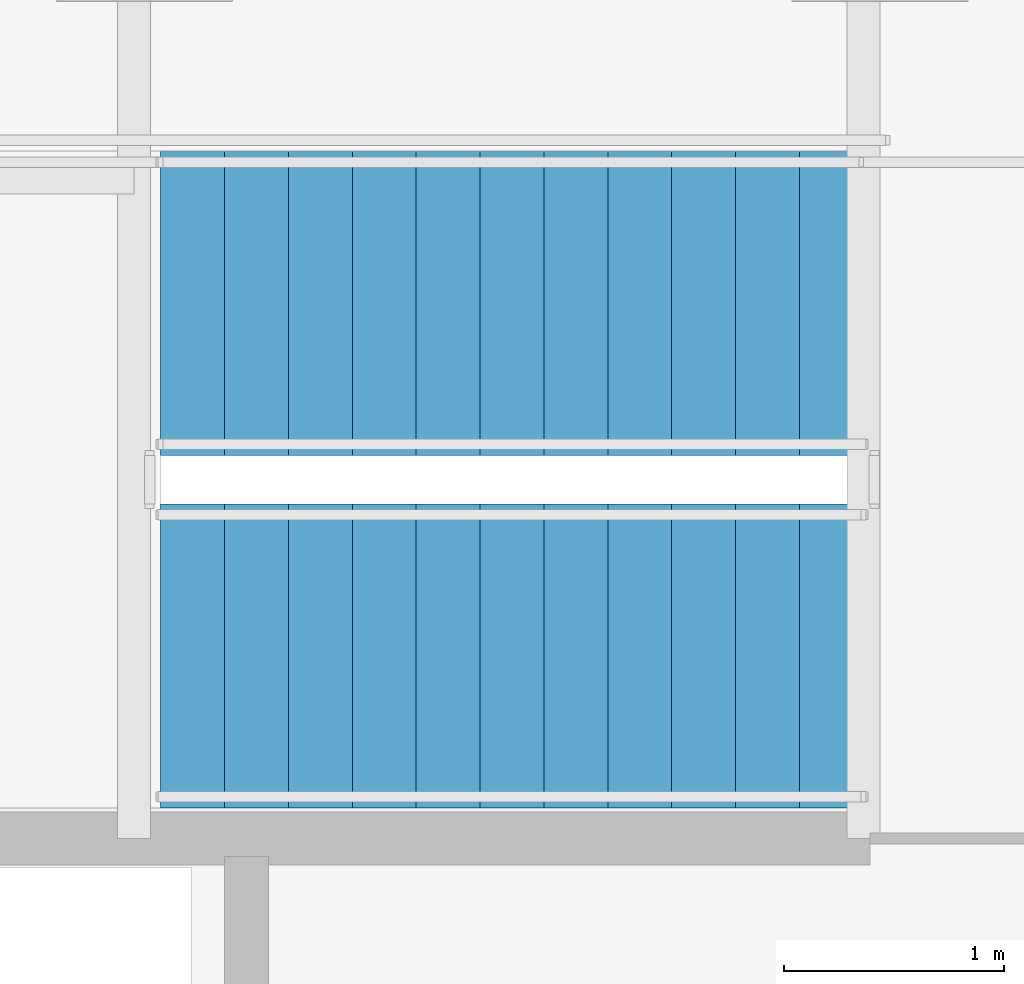
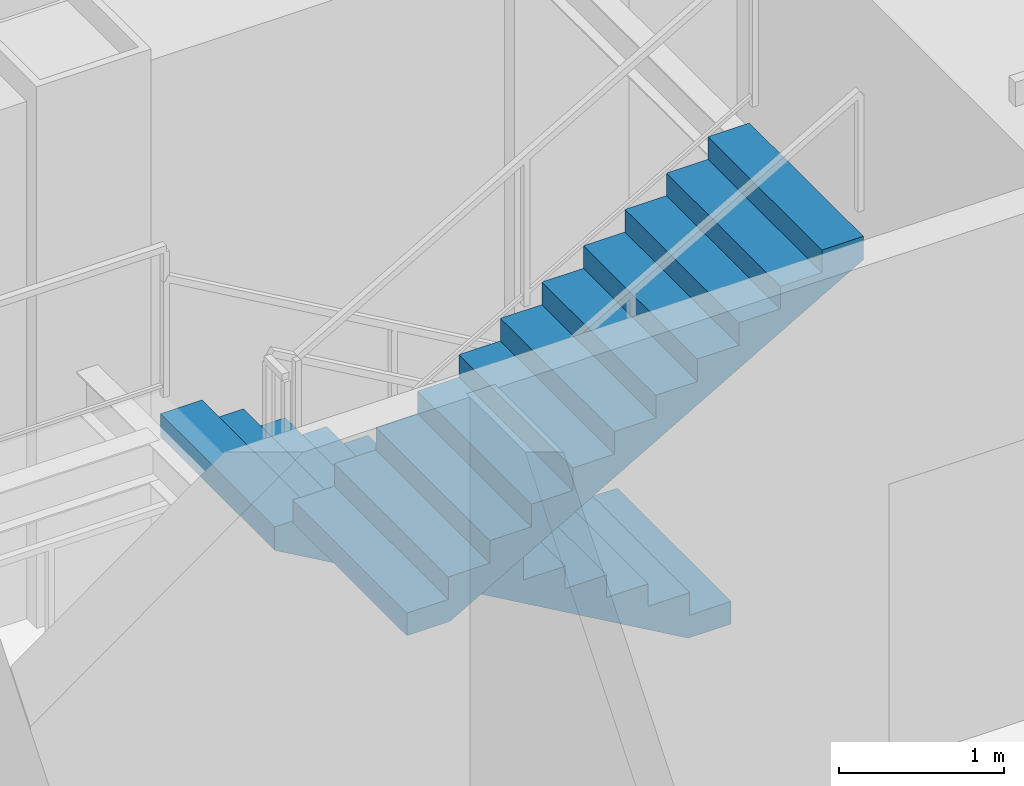
# One storey, part 32 of 35: 2 stair flights, 1 element without a shape of its own.
"""IFC4 building model written with IfcOpenShell, lengths in metres."""

from ifc_helpers import new_model, si_unit, direction, frame, origin, place, context, subcontext, project, spatial, polyline, outline, extrude, material, type_object, element, aggregate, save


model = new_model("IFC4")

# Units and contexts
model_context = context("Model", 3, precision=1e-05, world=origin(), true_north=direction((0.0, 1.0)))
body_context = subcontext(model_context, "Body", "Model", "MODEL_VIEW")
ifc_project = project(units=[si_unit("LENGTHUNIT", "METRE"), si_unit("AREAUNIT", "SQUARE_METRE"), si_unit("VOLUMEUNIT", "CUBIC_METRE"), si_unit("PLANEANGLEUNIT", "RADIAN"), si_unit("MASSUNIT", "GRAM", prefix="KILO")], contexts=[model_context])

# Site, building, storey
site_placement = place(None, origin())
site = spatial("IfcSite", under=ifc_project, at=site_placement, CompositionType="ELEMENT")
building_placement = place(site_placement, origin())
building = spatial("IfcBuilding", under=site, at=building_placement, Name="Khoronbel Lancet Exchange", CompositionType="ELEMENT")
storey_placement = place(building_placement, frame((0.0, 0.0, 53.800048828125)))
storey = spatial("IfcBuildingStorey", under=building, at=storey_placement, Name="L12", CompositionType="ELEMENT", Elevation=53.800048828125)

# Stair, stair flights
ifc_material = material(Name="Concrete C40/50", Category="concrete")
stair_type = type_object("IfcStairType", Name="STR-CORE150", PredefinedType="HALF_TURN_STAIR", material=ifc_material)
stair_placement = place(storey_placement, origin())
stair = element("IfcStair", 1, at=stair_placement, inside=storey, type_object=stair_type, Name="L12 Protected Exit Stair ST2", PredefinedType="HALF_TURN_STAIR")
stair_flight_type = type_object("IfcStairFlightType", Name="STF-150", PredefinedType="STRAIGHT", material=ifc_material)
stair_flight_1_placement = place(storey_placement, frame((54.60009765625, 51.409912109375, 0.0), z_axis=(0.0, 0.0, 1.0), x_axis=(-1.0, 0.0, 0.0)))
stair_flight_1 = element("IfcStairFlight", 2, at=stair_flight_1_placement, type_object=stair_flight_type, Name="ST2 flight 1", NumberOfRisers=12, NumberOfTreads=11, PredefinedType="STRAIGHT", RiserHeight=0.166666667, TreadLength=0.29, context=body_context, shape_type="SweptSolid", body=[
    extrude(outline(polyline([(0.0, 0.0), (0.0, 0.166748046875), (0.2900390625, 0.166748046875), (0.2900390625, 0.333251953125), (0.580078125, 0.333251953125), (0.580078125, 0.5), (0.8701171875, 0.5), (0.8701171875, 0.666748046875), (1.159912109375, 0.666748046875), (1.159912109375, 0.833251953125), (1.449951171875, 0.833251953125), (1.449951171875, 1.0), (1.739990234375, 1.0), (1.739990234375, 1.166748046875), (2.030029296875, 1.166748046875), (2.030029296875, 1.333251953125), (2.320068359375, 1.333251953125), (2.320068359375, 1.5), (2.610107421875, 1.5), (2.610107421875, 1.666748046875), (2.89990234375, 1.666748046875), (2.89990234375, 1.833251953125), (3.18994140625, 1.833251953125), (3.18994140625, 2.0), (3.18994140625, 1.660400390625), (0.30078125, 0.0), (0.0, 0.0)])), frame((0.0, 0.68994140625, 0.0), z_axis=(0.0, -1.0, 0.0), x_axis=(1.0, 0.0, 0.0)), (0.0, 0.0, 1.0), 1.3798828125),
])
stair_flight_2_placement = place(storey_placement, frame((51.409912109375, 49.81005859375, 2.0), z_axis=(0.0, 0.0, 1.0), x_axis=(1.0, 0.0, 0.0)))
stair_flight_2 = element("IfcStairFlight", 3, at=stair_flight_2_placement, type_object=stair_flight_type, Name="ST2 flight 2", NumberOfRisers=12, NumberOfTreads=11, PredefinedType="STRAIGHT", RiserHeight=0.166666667, TreadLength=0.29, context=body_context, shape_type="SweptSolid", body=[
    extrude(outline(polyline([(0.0, 0.0), (0.0, 0.166748046875), (0.2900390625, 0.166748046875), (0.2900390625, 0.333251953125), (0.580078125, 0.333251953125), (0.580078125, 0.5), (0.8701171875, 0.5), (0.8701171875, 0.666748046875), (1.159912109375, 0.666748046875), (1.159912109375, 0.833251953125), (1.449951171875, 0.833251953125), (1.449951171875, 1.0), (1.739990234375, 1.0), (1.739990234375, 1.166748046875), (2.030029296875, 1.166748046875), (2.030029296875, 1.333251953125), (2.320068359375, 1.333251953125), (2.320068359375, 1.5), (2.610107421875, 1.5), (2.610107421875, 1.666748046875), (2.89990234375, 1.666748046875), (2.89990234375, 1.833251953125), (3.18994140625, 1.833251953125), (3.18994140625, 2.0), (3.18994140625, 1.660400390625), (0.30078125, 0.0), (0.0, 0.0)])), frame((0.0, 0.68994140625, 0.0), z_axis=(0.0, -1.0, 0.0), x_axis=(1.0, 0.0, 0.0)), (0.0, 0.0, 1.0), 1.3798828125),
])
aggregate(stair, [stair_flight_1, stair_flight_2])

save(model, "model.ifc")
